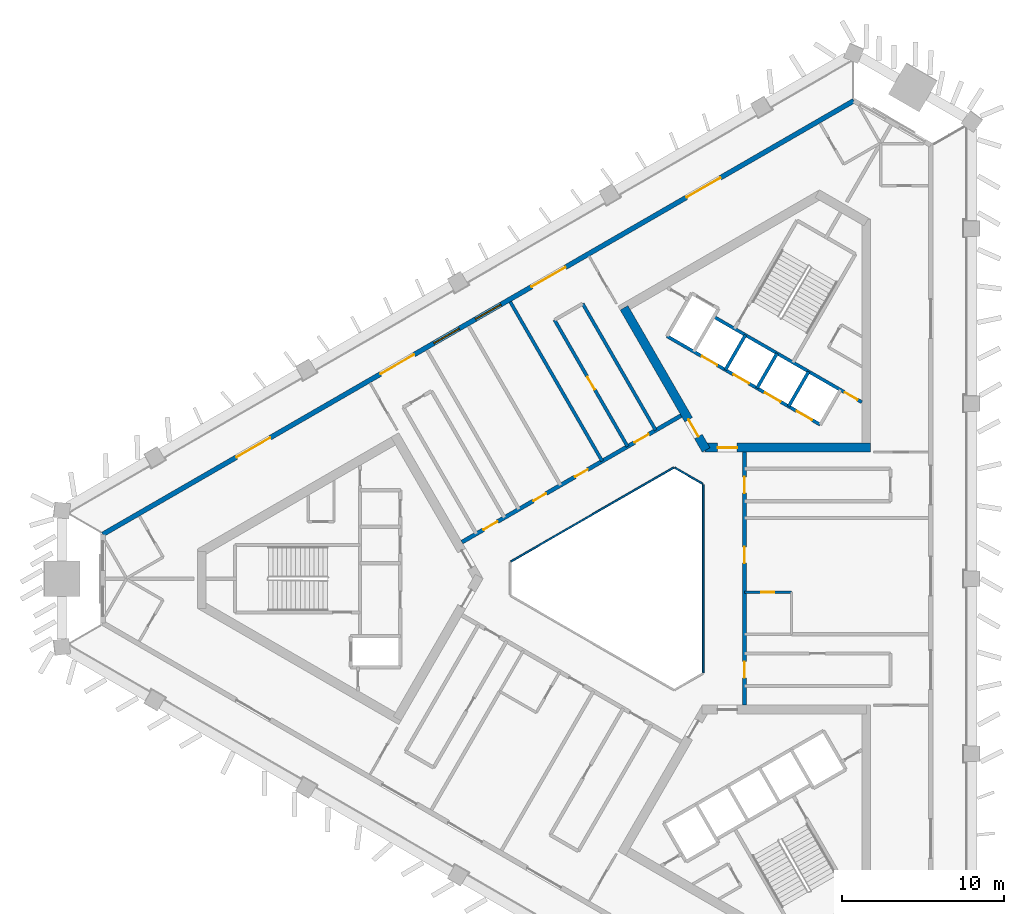
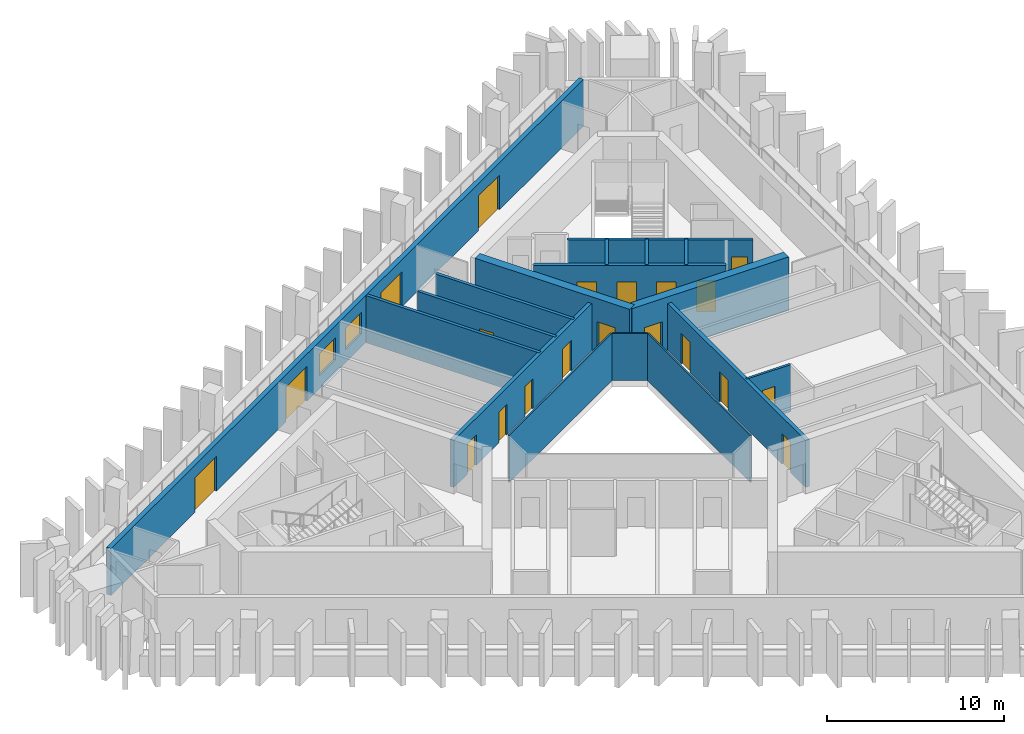
# One storey, part 5 of 10: 20 doors, 17 walls, 2 windows, 22 openings.
"""IFC4 building model written with IfcOpenShell, lengths in metres."""

from ifc_helpers import new_model, si_unit, direction, frame, frame_2d, origin, place, context, subcontext, project, spatial, rectangle, extrude, material, layer, layer_set, type_object, element, fill, save


model = new_model("IFC4")

# Units and contexts
model_context = context("Model", 3, precision=1e-05, world=origin(), true_north=direction((0.0, 1.0)))
body_context = subcontext(model_context, "Body", "Model", "MODEL_VIEW")
ifc_project = project(units=[si_unit("LENGTHUNIT", "METRE"), si_unit("AREAUNIT", "SQUARE_METRE"), si_unit("VOLUMEUNIT", "CUBIC_METRE"), si_unit("PLANEANGLEUNIT", "RADIAN"), si_unit("MASSUNIT", "GRAM", prefix="KILO")], contexts=[model_context])

# Site, building, storey
site_placement = place(None, origin())
site = spatial("IfcSite", under=ifc_project, at=site_placement, CompositionType="ELEMENT")
building_placement = place(site_placement, origin())
building = spatial("IfcBuilding", under=site, at=building_placement, Name="Jabali Bay Hotel Tower and Convention Centre", CompositionType="ELEMENT")
storey_placement = place(building_placement, frame((0.0, 0.0, 174.800048828125)))
storey = spatial("IfcBuildingStorey", under=building, at=storey_placement, Name="L42", CompositionType="ELEMENT", Elevation=174.800048828125)

# Walls
ifc_material_1 = material(Name="Fire-resistant glazing", Category="glass")
ifc_layer_1 = layer(ifc_material_1, 0.10009765625)
ifc_layer_set_1 = layer_set([ifc_layer_1], Name="Fire-resistant glazing")
wall_type_1 = type_object("IfcWallType", Name="Atrium glazed screen 100", PredefinedType="PARTITIONING", material=ifc_layer_set_1)
wall_1_placement = place(storey_placement, frame((79.56005859375, 74.205810546875, 0.0), z_axis=(0.0, 0.0, 1.0), x_axis=(0.0, 1.0, 0.0)))
element("IfcWall", 1, at=wall_1_placement, inside=storey, type_object=wall_type_1, Name="Atrium screen 1 L42", PredefinedType="PARTITIONING", context=body_context, shape_type="SweptSolid", body=[
    extrude(rectangle(XDim=11.58837890625, YDim=0.10009765625, at=frame_2d((5.794189453125, 0.0))), origin(), (0.0, 0.0, 1.0), 3.25),
])
wall_2_placement = place(storey_placement, frame((79.530029296875, 85.84619140625, 0.0), z_axis=(0.0, 0.0, 1.0), x_axis=(-0.866041268327, 0.499972520799, 0.0)))
element("IfcWall", 2, at=wall_2_placement, inside=storey, type_object=wall_type_1, Name="Atrium screen 2 L42", PredefinedType="PARTITIONING", context=body_context, shape_type="SweptSolid", body=[
    extrude(rectangle(XDim=2.0, YDim=0.10009765625, at=frame_2d((1.0, 0.0))), origin(), (0.0, 0.0, 1.0), 3.25),
])
wall_3_placement = place(storey_placement, frame((77.738037109375, 86.84619140625, 0.0), z_axis=(0.0, 0.0, 1.0), x_axis=(-0.866026658274, -0.499997827154, 0.0)))
element("IfcWall", 3, at=wall_3_placement, inside=storey, type_object=wall_type_1, Name="Atrium screen 3 L42", PredefinedType="PARTITIONING", context=body_context, shape_type="SweptSolid", body=[
    extrude(rectangle(XDim=11.58837890625, YDim=0.10009765625, at=frame_2d((5.794189453125, 0.0))), origin(), (0.0, 0.0, 1.0), 3.25),
])
ifc_material_2 = material(Name="Concrete C40", Category="concrete")
ifc_layer_2 = layer(ifc_material_2, 0.199951171875)
ifc_layer_set_2 = layer_set([ifc_layer_2], Name="Concrete C40")
wall_type_2 = type_object("IfcWallType", Name="Core stair wall 200", PredefinedType="SOLIDWALL", material=ifc_layer_set_2)
for number, where, z_axis, x_axis, name in (
    (4, (84.8212890625, 90.61083984375, 0.0), (0.0, 0.0, 1.0), (0.499961042966, 0.86604789447, 0.0), "Core wall 1.2 L42"),
    (5, (82.872802734375, 91.73583984375, 0.0), (0.0, 0.0, 1.0), (0.499961042966, 0.86604789447, 0.0), "Core wall 1.4 L42"),
    (6, (80.924072265625, 92.86083984375, 0.0), (0.0, 0.0, 1.0), (0.499961042966, 0.86604789447, 0.0), "Core wall 1.6 L42"),
):
    element("IfcWall", number, at=place(storey_placement, frame(where, z_axis=z_axis, x_axis=x_axis)), inside=storey, type_object=wall_type_2, Name=name, PredefinedType="SOLIDWALL", context=body_context, shape_type="SweptSolid", body=[
        extrude(rectangle(XDim=2.480224609375, YDim=0.199951171875, at=frame_2d((1.240234375, 0.0))), origin(), (0.0, 0.0, 1.0), 3.25),
    ])

# Wall, openings, doors
wall_4_placement = place(storey_placement, frame((86.769775390625, 89.48583984375, 0.0), z_axis=(0.0, 0.0, 1.0), x_axis=(-0.86601811187, 0.500012629753, 0.0)))
wall_4 = element("IfcWall", 7, at=wall_4_placement, inside=storey, type_object=wall_type_2, Name="Core wall 1.10 L42", PredefinedType="SOLIDWALL", context=body_context, shape_type="SweptSolid", body=[
    extrude(rectangle(XDim=10.900146484375, YDim=0.199951171875, at=frame_2d((5.4501953125, 0.0))), origin(), (0.0, 0.0, 1.0), 3.25),
])
opening_1_placement = place(wall_4_placement, frame((0.574951171875, 0.0, 0.0)))
opening_1 = element("IfcOpeningElement", 8, at=opening_1_placement, cuts=wall_4, Name="Opening LD6-L42", PredefinedType="OPENING", context=body_context, shape_type="SweptSolid", body=[
    extrude(rectangle(XDim=1.10009765625, YDim=2.10009765625, at=frame_2d((0.550048828125, 1.050048828125))), frame((0.0, 0.1103515625, 0.0), z_axis=(0.0, -1.0, 0.0), x_axis=(1.0, 0.0, 0.0)), (0.0, 0.0, 1.0), 0.220947265625),
])
opening_2_placement = place(wall_4_placement, frame((2.824951171875, 0.0, 0.0)))
opening_2 = element("IfcOpeningElement", 9, at=opening_2_placement, cuts=wall_4, Name="Opening LD7-L42", PredefinedType="OPENING", context=body_context, shape_type="SweptSolid", body=[
    extrude(rectangle(XDim=1.10009765625, YDim=2.10009765625, at=frame_2d((0.550048828125, 1.050048828125))), frame((0.0, 0.1103515625, 0.0), z_axis=(0.0, -1.0, 0.0), x_axis=(1.0, 0.0, 0.0)), (0.0, 0.0, 1.0), 0.220947265625),
])
opening_3_placement = place(wall_4_placement, frame((5.074951171875, 0.0, 0.0)))
opening_3 = element("IfcOpeningElement", 10, at=opening_3_placement, cuts=wall_4, Name="Opening LD8-L42", PredefinedType="OPENING", context=body_context, shape_type="SweptSolid", body=[
    extrude(rectangle(XDim=1.10009765625, YDim=2.10009765625, at=frame_2d((0.550048828125, 1.050048828125))), frame((0.0, 0.1103515625, 0.0), z_axis=(0.0, -1.0, 0.0), x_axis=(1.0, 0.0, 0.0)), (0.0, 0.0, 1.0), 0.220947265625),
])
opening_4_placement = place(wall_4_placement, frame((7.324951171875, 0.0, 0.0)))
opening_4 = element("IfcOpeningElement", 11, at=opening_4_placement, cuts=wall_4, Name="Opening LD9-L42", PredefinedType="OPENING", context=body_context, shape_type="SweptSolid", body=[
    extrude(rectangle(XDim=1.10009765625, YDim=2.10009765625, at=frame_2d((0.550048828125, 1.050048828125))), frame((0.0, 0.1103515625, 0.0), z_axis=(0.0, -1.0, 0.0), x_axis=(1.0, 0.0, 0.0)), (0.0, 0.0, 1.0), 0.220947265625),
])
ifc_material_3 = material(Name="Stainless steel landing door", Category="steel")
door_type_1 = type_object("IfcDoorType", Name="Landing door 1100 x 2100", OperationType="NOTDEFINED", PredefinedType="NOTDEFINED", material=ifc_material_3)
door_1_placement = place(opening_1_placement, origin())
door_1 = element("IfcDoor", 12, at=door_1_placement, inside=storey, type_object=door_type_1, Name="Landing doors LD6-L42", OperationType="SLIDING_TO_RIGHT", OverallHeight=2.10009765625, OverallWidth=1.10009765625, PredefinedType="NOTDEFINED", context=body_context, shape_type="SweptSolid", body=[
    extrude(rectangle(XDim=1.10009765625, YDim=2.10009765625, at=frame_2d((0.550048828125, 1.050048828125))), frame((0.0, 0.02490234375, 0.0), z_axis=(0.0, -1.0, 0.0), x_axis=(1.0, 0.0, 0.0)), (0.0, 0.0, 1.0), 0.050048828125),
])
fill(opening_1, door_1)
door_2_placement = place(opening_2_placement, origin())
door_2 = element("IfcDoor", 13, at=door_2_placement, inside=storey, type_object=door_type_1, Name="Landing doors LD7-L42", OperationType="SLIDING_TO_LEFT", OverallHeight=2.10009765625, OverallWidth=1.10009765625, PredefinedType="NOTDEFINED", context=body_context, shape_type="SweptSolid", body=[
    extrude(rectangle(XDim=1.10009765625, YDim=2.10009765625, at=frame_2d((0.550048828125, 1.050048828125))), frame((0.0, 0.02490234375, 0.0), z_axis=(0.0, -1.0, 0.0), x_axis=(1.0, 0.0, 0.0)), (0.0, 0.0, 1.0), 0.050048828125),
])
fill(opening_2, door_2)
door_3_placement = place(opening_3_placement, origin())
door_3 = element("IfcDoor", 14, at=door_3_placement, inside=storey, type_object=door_type_1, Name="Landing doors LD8-L42", OperationType="SLIDING_TO_RIGHT", OverallHeight=2.10009765625, OverallWidth=1.10009765625, PredefinedType="NOTDEFINED", context=body_context, shape_type="SweptSolid", body=[
    extrude(rectangle(XDim=1.10009765625, YDim=2.10009765625, at=frame_2d((0.550048828125, 1.050048828125))), frame((0.0, 0.02490234375, 0.0), z_axis=(0.0, -1.0, 0.0), x_axis=(1.0, 0.0, 0.0)), (0.0, 0.0, 1.0), 0.050048828125),
])
fill(opening_3, door_3)
door_4_placement = place(opening_4_placement, origin())
door_4 = element("IfcDoor", 15, at=door_4_placement, inside=storey, type_object=door_type_1, Name="Landing doors LD9-L42", OperationType="SLIDING_TO_LEFT", OverallHeight=2.10009765625, OverallWidth=1.10009765625, PredefinedType="NOTDEFINED", context=body_context, shape_type="SweptSolid", body=[
    extrude(rectangle(XDim=1.10009765625, YDim=2.10009765625, at=frame_2d((0.550048828125, 1.050048828125))), frame((0.0, 0.02490234375, 0.0), z_axis=(0.0, -1.0, 0.0), x_axis=(1.0, 0.0, 0.0)), (0.0, 0.0, 1.0), 0.050048828125),
])
fill(opening_4, door_4)

# Wall, opening, door
wall_5_placement = place(storey_placement, frame((89.330078125, 90.87158203125, 0.0), z_axis=(0.0, 0.0, 1.0), x_axis=(-0.866027589512, 0.49999621419, 0.0)))
wall_5 = element("IfcWall", 16, at=wall_5_placement, inside=storey, type_object=wall_type_2, Name="Core wall 1.11 L42", PredefinedType="SOLIDWALL", context=body_context, shape_type="SweptSolid", body=[
    extrude(rectangle(XDim=10.5244140625, YDim=0.199951171875, at=frame_2d((5.26220703125, 0.0))), origin(), (0.0, 0.0, 1.0), 3.25),
])
opening_5_placement = place(wall_5_placement, frame((0.312255859375, 0.0, 0.0)))
opening_5 = element("IfcOpeningElement", 17, at=opening_5_placement, cuts=wall_5, Name="Opening D917", PredefinedType="OPENING", context=body_context, shape_type="SweptSolid", body=[
    extrude(rectangle(XDim=0.89990234375, YDim=2.10009765625, at=frame_2d((0.449951171875, 1.050048828125))), frame((0.0, 0.1103515625, 0.0), z_axis=(0.0, -1.0, 0.0), x_axis=(1.0, 0.0, 0.0)), (0.0, 0.0, 1.0), 0.220947265625),
])
ifc_material_4 = material(Name="Fire-rated steel door", Category="steel")
door_type_2 = type_object("IfcDoorType", Name="Vestibule fire door 900 x 2100", OperationType="NOTDEFINED", PredefinedType="NOTDEFINED", material=ifc_material_4)
door_5_placement = place(opening_5_placement, origin())
door_5 = element("IfcDoor", 18, at=door_5_placement, inside=storey, type_object=door_type_2, Name="Vestibule fire door D917", OperationType="SINGLE_SWING_LEFT", OverallHeight=2.10009765625, OverallWidth=0.89990234375, PredefinedType="NOTDEFINED", context=body_context, shape_type="SweptSolid", body=[
    extrude(rectangle(XDim=0.89990234375, YDim=2.10009765625, at=frame_2d((0.449951171875, 1.050048828125))), frame((0.0, 0.02490234375, 0.0), z_axis=(0.0, -1.0, 0.0), x_axis=(1.0, 0.0, 0.0)), (0.0, 0.0, 1.0), 0.050048828125),
])
fill(opening_5, door_5)

ifc_material_5 = material(Name="Concrete C60", Category="concrete")
ifc_layer_3 = layer(ifc_material_5, 0.550048828125)
ifc_layer_set_3 = layer_set([ifc_layer_3], Name="Concrete C60")
wall_type_3 = type_object("IfcWallType", Name="Core wall 550", PredefinedType="SHEAR", material=ifc_layer_set_3)
wall_6_placement = place(storey_placement, frame((79.65869140625, 88.0693359375, 0.0), z_axis=(0.0, 0.0, 1.0), x_axis=(1.0, 0.0, 0.0)))
wall_6 = element("IfcWall", 19, at=wall_6_placement, inside=storey, type_object=wall_type_3, Name="Core wall 2.1 L42", PredefinedType="SHEAR", context=body_context, shape_type="SweptSolid", body=[
    extrude(rectangle(XDim=10.22119140625, YDim=0.550048828125, at=frame_2d((5.110595703125, 0.0))), origin(), (0.0, 0.0, 1.0), 3.699951171875),
])
opening_6_placement = place(wall_6_placement, frame((0.791259765625, 0.0, 0.0)))
opening_6 = element("IfcOpeningElement", 20, at=opening_6_placement, cuts=wall_6, Name="Opening D914", PredefinedType="OPENING", context=body_context, shape_type="SweptSolid", body=[
    extrude(rectangle(XDim=1.199951171875, YDim=2.10009765625, at=frame_2d((0.60009765625, 1.050048828125))), frame((0.0, 0.28564453125, 0.0), z_axis=(0.0, -1.0, 0.0), x_axis=(1.0, 0.0, 0.0)), (0.0, 0.0, 1.0), 0.571044921875),
])
door_type_3 = type_object("IfcDoorType", Name="Corridor end fire door 1200 x 2100", OperationType="NOTDEFINED", PredefinedType="NOTDEFINED", material=ifc_material_4)
door_6_placement = place(opening_6_placement, origin())
door_6 = element("IfcDoor", 21, at=door_6_placement, inside=storey, type_object=door_type_3, Name="Corridor end fire door D914", OperationType="SINGLE_SWING_RIGHT", OverallHeight=2.10009765625, OverallWidth=1.199951171875, PredefinedType="NOTDEFINED", context=body_context, shape_type="SweptSolid", body=[
    extrude(rectangle(XDim=1.199951171875, YDim=2.10009765625, at=frame_2d((0.60009765625, 1.050048828125))), frame((0.0, 0.02490234375, 0.0), z_axis=(0.0, -1.0, 0.0), x_axis=(1.0, 0.0, 0.0)), (0.0, 0.0, 1.0), 0.050048828125),
])
fill(opening_6, door_6)

wall_7_placement = place(storey_placement, frame((74.685546875, 96.682861328125, 0.0), z_axis=(0.0, 0.0, 1.0), x_axis=(0.499997818338, -0.866026663364, 0.0)))
wall_7 = element("IfcWall", 22, at=wall_7_placement, inside=storey, type_object=wall_type_3, Name="Core wall 2.5 L42", PredefinedType="SHEAR", context=body_context, shape_type="SweptSolid", body=[
    extrude(rectangle(XDim=10.10498046875, YDim=0.550048828125, at=frame_2d((5.052490234375, 0.0))), origin(), (0.0, 0.0, 1.0), 3.699951171875),
])
opening_7_placement = place(wall_7_placement, frame((7.955078125, 0.0, 0.0)))
opening_7 = element("IfcOpeningElement", 23, at=opening_7_placement, cuts=wall_7, Name="Opening D915", PredefinedType="OPENING", context=body_context, shape_type="SweptSolid", body=[
    extrude(rectangle(XDim=1.199951171875, YDim=2.10009765625, at=frame_2d((0.60009765625, 1.050048828125))), frame((0.0, 0.28564453125, 0.0), z_axis=(0.0, -1.0, 0.0), x_axis=(1.0, 0.0, 0.0)), (0.0, 0.0, 1.0), 0.571044921875),
])
door_7_placement = place(opening_7_placement, origin())
door_7 = element("IfcDoor", 24, at=door_7_placement, inside=storey, type_object=door_type_3, Name="Corridor end fire door D915", OperationType="SINGLE_SWING_LEFT", OverallHeight=2.10009765625, OverallWidth=1.199951171875, PredefinedType="NOTDEFINED", context=body_context, shape_type="SweptSolid", body=[
    extrude(rectangle(XDim=1.199951171875, YDim=2.10009765625, at=frame_2d((0.60009765625, 1.050048828125))), frame((0.0, 0.02490234375, 0.0), z_axis=(0.0, -1.0, 0.0), x_axis=(1.0, 0.0, 0.0)), (0.0, 0.0, 1.0), 0.050048828125),
])
fill(opening_7, door_7)

# Wall, openings, doors
ifc_layer_4 = layer(ifc_material_5, 0.25)
ifc_layer_set_4 = layer_set([ifc_layer_4], Name="Concrete C60")
wall_type_4 = type_object("IfcWallType", Name="Corridor wall 250", PredefinedType="SHEAR", material=ifc_layer_set_4)
wall_8_placement = place(storey_placement, frame((82.10009765625, 72.205810546875, 0.0), z_axis=(0.0, 0.0, 1.0), x_axis=(0.0, 1.0, 0.0)))
wall_8 = element("IfcWall", 25, at=wall_8_placement, inside=storey, type_object=wall_type_4, Name="Corridor wall 1 L42", PredefinedType="SHEAR", context=body_context, shape_type="SweptSolid", body=[
    extrude(rectangle(XDim=15.58837890625, YDim=0.25, at=frame_2d((7.794189453125, 0.0))), origin(), (0.0, 0.0, 1.0), 3.25),
])
opening_8_placement = place(wall_8_placement, frame((1.682373046875, 0.0, 0.0)))
opening_8 = element("IfcOpeningElement", 26, at=opening_8_placement, cuts=wall_8, Name="Opening 4201", PredefinedType="OPENING", context=body_context, shape_type="SweptSolid", body=[
    extrude(rectangle(XDim=1.0, YDim=2.10009765625, at=frame_2d((0.5, 1.050048828125))), frame((0.0, 0.135498046875, 0.0), z_axis=(0.0, -1.0, 0.0), x_axis=(1.0, 0.0, 0.0)), (0.0, 0.0, 1.0), 0.27099609375),
])
opening_9_placement = place(wall_8_placement, frame((8.75, 0.0, 0.0)))
opening_9 = element("IfcOpeningElement", 27, at=opening_9_placement, cuts=wall_8, Name="Opening 4206", PredefinedType="OPENING", context=body_context, shape_type="SweptSolid", body=[
    extrude(rectangle(XDim=1.0, YDim=2.10009765625, at=frame_2d((0.5, 1.050048828125))), frame((0.0, 0.135498046875, 0.0), z_axis=(0.0, -1.0, 0.0), x_axis=(1.0, 0.0, 0.0)), (0.0, 0.0, 1.0), 0.27099609375),
])
opening_10_placement = place(wall_8_placement, frame((13.06201171875, 0.0, 0.0)))
opening_10 = element("IfcOpeningElement", 28, at=opening_10_placement, cuts=wall_8, Name="Opening 4207", PredefinedType="OPENING", context=body_context, shape_type="SweptSolid", body=[
    extrude(rectangle(XDim=1.0, YDim=2.10009765625, at=frame_2d((0.5, 1.050048828125))), frame((0.0, 0.135498046875, 0.0), z_axis=(0.0, -1.0, 0.0), x_axis=(1.0, 0.0, 0.0)), (0.0, 0.0, 1.0), 0.27099609375),
])
ifc_material_6 = material(Name="Timber", Category="wood")
door_type_4 = type_object("IfcDoorType", Name="Guest room door 1000 x 2100", OperationType="NOTDEFINED", PredefinedType="NOTDEFINED", material=ifc_material_6)
door_8_placement = place(opening_8_placement, origin())
door_8 = element("IfcDoor", 29, at=door_8_placement, inside=storey, type_object=door_type_4, Name="Door 4201", OperationType="SINGLE_SWING_LEFT", OverallHeight=2.10009765625, OverallWidth=1.0, PredefinedType="NOTDEFINED", context=body_context, shape_type="SweptSolid", body=[
    extrude(rectangle(XDim=1.0, YDim=2.10009765625, at=frame_2d((0.5, 1.050048828125))), frame((0.0, 0.02490234375, 0.0), z_axis=(0.0, -1.0, 0.0), x_axis=(1.0, 0.0, 0.0)), (0.0, 0.0, 1.0), 0.050048828125),
])
fill(opening_8, door_8)
door_9_placement = place(opening_9_placement, origin())
door_9 = element("IfcDoor", 30, at=door_9_placement, inside=storey, type_object=door_type_4, Name="Door 4206", OperationType="SINGLE_SWING_RIGHT", OverallHeight=2.10009765625, OverallWidth=1.0, PredefinedType="NOTDEFINED", context=body_context, shape_type="SweptSolid", body=[
    extrude(rectangle(XDim=1.0, YDim=2.10009765625, at=frame_2d((0.5, 1.050048828125))), frame((0.0, 0.02490234375, 0.0), z_axis=(0.0, -1.0, 0.0), x_axis=(1.0, 0.0, 0.0)), (0.0, 0.0, 1.0), 0.050048828125),
])
fill(opening_9, door_9)
door_10_placement = place(opening_10_placement, origin())
door_10 = element("IfcDoor", 31, at=door_10_placement, inside=storey, type_object=door_type_4, Name="Door 4207", OperationType="SINGLE_SWING_RIGHT", OverallHeight=2.10009765625, OverallWidth=1.0, PredefinedType="NOTDEFINED", context=body_context, shape_type="SweptSolid", body=[
    extrude(rectangle(XDim=1.0, YDim=2.10009765625, at=frame_2d((0.5, 1.050048828125))), frame((0.0, 0.02490234375, 0.0), z_axis=(0.0, -1.0, 0.0), x_axis=(1.0, 0.0, 0.0)), (0.0, 0.0, 1.0), 0.050048828125),
])
fill(opening_10, door_10)

wall_9_placement = place(storey_placement, frame((78.199951171875, 90.0458984375, 0.0), z_axis=(0.0, 0.0, 1.0), x_axis=(-0.866026492143, -0.499998114903, 0.0)))
wall_9 = element("IfcWall", 32, at=wall_9_placement, inside=storey, type_object=wall_type_4, Name="Corridor wall 2 L42", PredefinedType="SHEAR", context=body_context, shape_type="SweptSolid", body=[
    extrude(rectangle(XDim=15.58837890625, YDim=0.25, at=frame_2d((7.794189453125, 0.0))), origin(), (0.0, 0.0, 1.0), 3.25),
])
opening_11_placement = place(wall_9_placement, frame((2.305908203125, 0.0, 0.0)))
opening_11 = element("IfcOpeningElement", 33, at=opening_11_placement, cuts=wall_9, Name="Opening 4211", PredefinedType="OPENING", context=body_context, shape_type="SweptSolid", body=[
    extrude(rectangle(XDim=1.0, YDim=2.10009765625, at=frame_2d((0.5, 1.050048828125))), frame((0.0, 0.135498046875, 0.0), z_axis=(0.0, -1.0, 0.0), x_axis=(1.0, 0.0, 0.0)), (0.0, 0.0, 1.0), 0.27099609375),
])
opening_12_placement = place(wall_9_placement, frame((6.642578125, 0.0, 0.0)))
opening_12 = element("IfcOpeningElement", 34, at=opening_12_placement, cuts=wall_9, Name="Opening 4215", PredefinedType="OPENING", context=body_context, shape_type="SweptSolid", body=[
    extrude(rectangle(XDim=0.89990234375, YDim=2.10009765625, at=frame_2d((0.449951171875, 1.050048828125))), frame((0.0, 0.135498046875, 0.0), z_axis=(0.0, -1.0, 0.0), x_axis=(1.0, 0.0, 0.0)), (0.0, 0.0, 1.0), 0.27099609375),
])
opening_13_placement = place(wall_9_placement, frame((9.6044921875, 0.0, 0.0)))
opening_13 = element("IfcOpeningElement", 35, at=opening_13_placement, cuts=wall_9, Name="Opening 4216", PredefinedType="OPENING", context=body_context, shape_type="SweptSolid", body=[
    extrude(rectangle(XDim=0.89990234375, YDim=2.10009765625, at=frame_2d((0.449951171875, 1.050048828125))), frame((0.0, 0.135498046875, 0.0), z_axis=(0.0, -1.0, 0.0), x_axis=(1.0, 0.0, 0.0)), (0.0, 0.0, 1.0), 0.27099609375),
])
opening_14_placement = place(wall_9_placement, frame((13.06201171875, 0.0, 0.0)))
opening_14 = element("IfcOpeningElement", 36, at=opening_14_placement, cuts=wall_9, Name="Opening 4217", PredefinedType="OPENING", context=body_context, shape_type="SweptSolid", body=[
    extrude(rectangle(XDim=1.0, YDim=2.10009765625, at=frame_2d((0.5, 1.050048828125))), frame((0.0, 0.135498046875, 0.0), z_axis=(0.0, -1.0, 0.0), x_axis=(1.0, 0.0, 0.0)), (0.0, 0.0, 1.0), 0.27099609375),
])
door_11_placement = place(opening_11_placement, origin())
door_11 = element("IfcDoor", 37, at=door_11_placement, inside=storey, type_object=door_type_4, Name="Door 4211", OperationType="SINGLE_SWING_LEFT", OverallHeight=2.10009765625, OverallWidth=1.0, PredefinedType="NOTDEFINED", context=body_context, shape_type="SweptSolid", body=[
    extrude(rectangle(XDim=1.0, YDim=2.10009765625, at=frame_2d((0.5, 1.050048828125))), frame((0.0, 0.02490234375, 0.0), z_axis=(0.0, -1.0, 0.0), x_axis=(1.0, 0.0, 0.0)), (0.0, 0.0, 1.0), 0.050048828125),
])
fill(opening_11, door_11)
door_12_placement = place(opening_14_placement, origin())
door_12 = element("IfcDoor", 38, at=door_12_placement, inside=storey, type_object=door_type_4, Name="Door 4217", OperationType="SINGLE_SWING_RIGHT", OverallHeight=2.10009765625, OverallWidth=1.0, PredefinedType="NOTDEFINED", context=body_context, shape_type="SweptSolid", body=[
    extrude(rectangle(XDim=1.0, YDim=2.10009765625, at=frame_2d((0.5, 1.050048828125))), frame((0.0, 0.02490234375, 0.0), z_axis=(0.0, -1.0, 0.0), x_axis=(1.0, 0.0, 0.0)), (0.0, 0.0, 1.0), 0.050048828125),
])
fill(opening_14, door_12)
door_type_5 = type_object("IfcDoorType", Name="Internal door 900 x 2100", OperationType="NOTDEFINED", PredefinedType="NOTDEFINED", material=ifc_material_6)
door_13_placement = place(opening_12_placement, origin())
door_13 = element("IfcDoor", 39, at=door_13_placement, inside=storey, type_object=door_type_5, Name="Door 4215", OperationType="SINGLE_SWING_LEFT", OverallHeight=2.10009765625, OverallWidth=0.89990234375, PredefinedType="NOTDEFINED", context=body_context, shape_type="SweptSolid", body=[
    extrude(rectangle(XDim=0.89990234375, YDim=2.10009765625, at=frame_2d((0.449951171875, 1.050048828125))), frame((0.0, 0.02490234375, 0.0), z_axis=(0.0, -1.0, 0.0), x_axis=(1.0, 0.0, 0.0)), (0.0, 0.0, 1.0), 0.050048828125),
])
fill(opening_12, door_13)
door_14_placement = place(opening_13_placement, origin())
door_14 = element("IfcDoor", 40, at=door_14_placement, inside=storey, type_object=door_type_5, Name="Door 4216", OperationType="SINGLE_SWING_RIGHT", OverallHeight=2.10009765625, OverallWidth=0.89990234375, PredefinedType="NOTDEFINED", context=body_context, shape_type="SweptSolid", body=[
    extrude(rectangle(XDim=0.89990234375, YDim=2.10009765625, at=frame_2d((0.449951171875, 1.050048828125))), frame((0.0, 0.02490234375, 0.0), z_axis=(0.0, -1.0, 0.0), x_axis=(1.0, 0.0, 0.0)), (0.0, 0.0, 1.0), 0.050048828125),
])
fill(opening_13, door_14)

# Wall, openings, doors, windows
ifc_layer_5 = layer(ifc_material_2, 0.300048828125)
ifc_layer_set_5 = layer_set([ifc_layer_5], Name="Concrete C40")
wall_type_5 = type_object("IfcWallType", Name="External wall 300", PredefinedType="SOLIDWALL", material=ifc_layer_set_5)
wall_10_placement = place(storey_placement, frame((42.580078125, 82.732666015625, 0.0), z_axis=(0.0, 0.0, 1.0), x_axis=(0.866025382531, 0.500000036812, 0.0)))
wall_10 = element("IfcWall", 41, at=wall_10_placement, inside=storey, type_object=wall_type_5, Name="External wall north-west face L42", PredefinedType="SOLIDWALL", context=body_context, shape_type="SweptSolid", body=[
    extrude(rectangle(XDim=53.42041015625, YDim=0.300048828125, at=frame_2d((26.710205078125, 0.0))), origin(), (0.0, 0.0, 1.0), 3.25),
])
opening_15_placement = place(wall_10_placement, frame((30.49853515625, 0.0, 0.0)))
opening_15 = element("IfcOpeningElement", 42, at=opening_15_placement, cuts=wall_10, Name="Opening SD1", PredefinedType="OPENING", context=body_context, shape_type="SweptSolid", body=[
    extrude(rectangle(XDim=2.39990234375, YDim=2.39990234375, at=frame_2d((1.199951171875, 1.199951171875))), frame((0.0, 0.16064453125, 0.0), z_axis=(0.0, -1.0, 0.0), x_axis=(1.0, 0.0, 0.0)), (0.0, 0.0, 1.0), 0.321044921875),
])
opening_16_placement = place(wall_10_placement, frame((41.51953125, 0.0, 0.0)))
opening_16 = element("IfcOpeningElement", 43, at=opening_16_placement, cuts=wall_10, Name="Opening SD1", PredefinedType="OPENING", context=body_context, shape_type="SweptSolid", body=[
    extrude(rectangle(XDim=2.39990234375, YDim=2.39990234375, at=frame_2d((1.199951171875, 1.199951171875))), frame((0.0, 0.16064453125, 0.0), z_axis=(0.0, -1.0, 0.0), x_axis=(1.0, 0.0, 0.0)), (0.0, 0.0, 1.0), 0.321044921875),
])
opening_17_placement = place(wall_10_placement, frame((19.742431640625, 0.0, 0.0)))
opening_17 = element("IfcOpeningElement", 44, at=opening_17_placement, cuts=wall_10, Name="Opening SD1", PredefinedType="OPENING", context=body_context, shape_type="SweptSolid", body=[
    extrude(rectangle(XDim=2.39990234375, YDim=2.39990234375, at=frame_2d((1.199951171875, 1.199951171875))), frame((0.0, 0.16064453125, 0.0), z_axis=(0.0, -1.0, 0.0), x_axis=(1.0, 0.0, 0.0)), (0.0, 0.0, 1.0), 0.321044921875),
])
opening_18_placement = place(wall_10_placement, frame((9.507080078125, 0.0, 0.0)))
opening_18 = element("IfcOpeningElement", 45, at=opening_18_placement, cuts=wall_10, Name="Opening SD1", PredefinedType="OPENING", context=body_context, shape_type="SweptSolid", body=[
    extrude(rectangle(XDim=2.39990234375, YDim=2.39990234375, at=frame_2d((1.199951171875, 1.199951171875))), frame((0.0, 0.16064453125, 0.0), z_axis=(0.0, -1.0, 0.0), x_axis=(1.0, 0.0, 0.0)), (0.0, 0.0, 1.0), 0.321044921875),
])
opening_19_placement = place(wall_10_placement, frame((26.51171875, 0.0, 0.89990234375)))
opening_19 = element("IfcOpeningElement", 46, at=opening_19_placement, cuts=wall_10, Name="Opening W1", PredefinedType="OPENING", context=body_context, shape_type="SweptSolid", body=[
    extrude(rectangle(XDim=1.800048828125, YDim=1.5, at=frame_2d((0.89990234375, 0.75))), frame((0.0, 0.16064453125, 0.0), z_axis=(0.0, -1.0, 0.0), x_axis=(1.0, 0.0, 0.0)), (0.0, 0.0, 1.0), 0.321044921875),
])
opening_20_placement = place(wall_10_placement, frame((23.5498046875, 0.0, 0.89990234375)))
opening_20 = element("IfcOpeningElement", 47, at=opening_20_placement, cuts=wall_10, Name="Opening W1", PredefinedType="OPENING", context=body_context, shape_type="SweptSolid", body=[
    extrude(rectangle(XDim=1.800048828125, YDim=1.5, at=frame_2d((0.89990234375, 0.75))), frame((0.0, 0.16064453125, 0.0), z_axis=(0.0, -1.0, 0.0), x_axis=(1.0, 0.0, 0.0)), (0.0, 0.0, 1.0), 0.321044921875),
])
ifc_material_7 = material(Name="Glass", Category="glass")
door_type_6 = type_object("IfcDoorType", Name="Loggia sliding door 2400 x 2400", OperationType="NOTDEFINED", PredefinedType="NOTDEFINED", material=ifc_material_7)
door_15_placement = place(opening_15_placement, origin())
door_15 = element("IfcDoor", 48, at=door_15_placement, inside=storey, type_object=door_type_6, Name="Loggia sliding door 4206", OperationType="SLIDING_TO_LEFT", OverallHeight=2.39990234375, OverallWidth=2.39990234375, PredefinedType="NOTDEFINED", context=body_context, shape_type="SweptSolid", body=[
    extrude(rectangle(XDim=2.39990234375, YDim=2.39990234375, at=frame_2d((1.199951171875, 1.199951171875))), frame((0.0, 0.02490234375, 0.0), z_axis=(0.0, -1.0, 0.0), x_axis=(1.0, 0.0, 0.0)), (0.0, 0.0, 1.0), 0.050048828125),
])
fill(opening_15, door_15)
door_16_placement = place(opening_16_placement, origin())
door_16 = element("IfcDoor", 49, at=door_16_placement, inside=storey, type_object=door_type_6, Name="Loggia sliding door 4206", OperationType="SLIDING_TO_RIGHT", OverallHeight=2.39990234375, OverallWidth=2.39990234375, PredefinedType="NOTDEFINED", context=body_context, shape_type="SweptSolid", body=[
    extrude(rectangle(XDim=2.39990234375, YDim=2.39990234375, at=frame_2d((1.199951171875, 1.199951171875))), frame((0.0, 0.02490234375, 0.0), z_axis=(0.0, -1.0, 0.0), x_axis=(1.0, 0.0, 0.0)), (0.0, 0.0, 1.0), 0.050048828125),
])
fill(opening_16, door_16)
door_17_placement = place(opening_17_placement, origin())
door_17 = element("IfcDoor", 50, at=door_17_placement, inside=storey, type_object=door_type_6, Name="Loggia sliding door 4210", OperationType="SLIDING_TO_LEFT", OverallHeight=2.39990234375, OverallWidth=2.39990234375, PredefinedType="NOTDEFINED", context=body_context, shape_type="SweptSolid", body=[
    extrude(rectangle(XDim=2.39990234375, YDim=2.39990234375, at=frame_2d((1.199951171875, 1.199951171875))), frame((0.0, 0.02490234375, 0.0), z_axis=(0.0, -1.0, 0.0), x_axis=(1.0, 0.0, 0.0)), (0.0, 0.0, 1.0), 0.050048828125),
])
fill(opening_17, door_17)
door_18_placement = place(opening_18_placement, origin())
door_18 = element("IfcDoor", 51, at=door_18_placement, inside=storey, type_object=door_type_6, Name="Loggia sliding door 4210", OperationType="SLIDING_TO_RIGHT", OverallHeight=2.39990234375, OverallWidth=2.39990234375, PredefinedType="NOTDEFINED", context=body_context, shape_type="SweptSolid", body=[
    extrude(rectangle(XDim=2.39990234375, YDim=2.39990234375, at=frame_2d((1.199951171875, 1.199951171875))), frame((0.0, 0.02490234375, 0.0), z_axis=(0.0, -1.0, 0.0), x_axis=(1.0, 0.0, 0.0)), (0.0, 0.0, 1.0), 0.050048828125),
])
fill(opening_18, door_18)
window_type = type_object("IfcWindowType", Name="Window 1800 x 1500", PartitioningType="SINGLE_PANEL", PredefinedType="WINDOW", material=ifc_material_7)
window_1_placement = place(opening_19_placement, origin())
window_1 = element("IfcWindow", 52, at=window_1_placement, inside=storey, type_object=window_type, Name="Window 4208", OverallHeight=1.5, OverallWidth=1.800048828125, PartitioningType="SINGLE_PANEL", PredefinedType="WINDOW", context=body_context, shape_type="SweptSolid", body=[
    extrude(rectangle(XDim=1.800048828125, YDim=1.5, at=frame_2d((0.89990234375, 0.75))), frame((0.0, 0.030029296875, 0.0), z_axis=(0.0, -1.0, 0.0), x_axis=(1.0, 0.0, 0.0)), (0.0, 0.0, 1.0), 0.06005859375),
])
fill(opening_19, window_1)
window_2_placement = place(opening_20_placement, origin())
window_2 = element("IfcWindow", 53, at=window_2_placement, inside=storey, type_object=window_type, Name="Window 4209", OverallHeight=1.5, OverallWidth=1.800048828125, PartitioningType="SINGLE_PANEL", PredefinedType="WINDOW", context=body_context, shape_type="SweptSolid", body=[
    extrude(rectangle(XDim=1.800048828125, YDim=1.5, at=frame_2d((0.89990234375, 0.75))), frame((0.0, 0.030029296875, 0.0), z_axis=(0.0, -1.0, 0.0), x_axis=(1.0, 0.0, 0.0)), (0.0, 0.0, 1.0), 0.06005859375),
])
fill(opening_20, window_2)

# Wall, opening, door
ifc_material_8 = material(Name="Plasterboard on steel stud", Category="steel")
ifc_layer_6 = layer(ifc_material_8, 0.14990234375)
ifc_layer_set_6 = layer_set([ifc_layer_6], Name="Plasterboard on steel stud")
wall_type_6 = type_object("IfcWallType", Name="Partition 150 wet", PredefinedType="PARTITIONING", material=ifc_layer_set_6)
wall_11_placement = place(storey_placement, frame((82.10009765625, 79.170654296875, 0.0), z_axis=(0.0, 0.0, 1.0), x_axis=(1.0, 0.0, 0.0)))
wall_11 = element("IfcWall", 54, at=wall_11_placement, inside=storey, type_object=wall_type_6, Name="Partition P03 L42 011", PredefinedType="PARTITIONING", context=body_context, shape_type="SweptSolid", body=[
    extrude(rectangle(XDim=2.89990234375, YDim=0.14990234375, at=frame_2d((1.449951171875, 0.0))), origin(), (0.0, 0.0, 1.0), 3.25),
])
opening_21_placement = place(wall_11_placement, frame((1.050048828125, 0.0, 0.0)))
opening_21 = element("IfcOpeningElement", 55, at=opening_21_placement, cuts=wall_11, Name="Opening 4205", PredefinedType="OPENING", context=body_context, shape_type="SweptSolid", body=[
    extrude(rectangle(XDim=0.800048828125, YDim=2.10009765625, at=frame_2d((0.39990234375, 1.050048828125))), frame((0.0, 0.08544921875, 0.0), z_axis=(0.0, -1.0, 0.0), x_axis=(1.0, 0.0, 0.0)), (0.0, 0.0, 1.0), 0.1708984375),
])
door_type_7 = type_object("IfcDoorType", Name="En-suite door 800 x 2100", OperationType="NOTDEFINED", PredefinedType="NOTDEFINED", material=ifc_material_6)
door_19_placement = place(opening_21_placement, origin())
door_19 = element("IfcDoor", 56, at=door_19_placement, inside=storey, type_object=door_type_7, Name="Door 4205", OperationType="SINGLE_SWING_RIGHT", OverallHeight=2.10009765625, OverallWidth=0.800048828125, PredefinedType="NOTDEFINED", context=body_context, shape_type="SweptSolid", body=[
    extrude(rectangle(XDim=0.800048828125, YDim=2.10009765625, at=frame_2d((0.39990234375, 1.050048828125))), frame((0.0, 0.02490234375, 0.0), z_axis=(0.0, -1.0, 0.0), x_axis=(1.0, 0.0, 0.0)), (0.0, 0.0, 1.0), 0.050048828125),
])
fill(opening_21, door_19)

ifc_layer_7 = layer(ifc_material_8, 0.199951171875)
ifc_layer_set_7 = layer_set([ifc_layer_7], Name="Plasterboard on steel stud")
wall_type_7 = type_object("IfcWallType", Name="Partition 200 party", PredefinedType="PARTITIONING", material=ifc_layer_set_7)
wall_12_placement = place(storey_placement, frame((74.904052734375, 88.142822265625, 0.0), z_axis=(0.0, 0.0, 1.0), x_axis=(-0.499990139034, 0.866031096941, 0.0)))
wall_12 = element("IfcWall", 57, at=wall_12_placement, inside=storey, type_object=wall_type_7, Name="Partition P01 L42 023", PredefinedType="PARTITIONING", context=body_context, shape_type="SweptSolid", body=[
    extrude(rectangle(XDim=9.000244140625, YDim=0.199951171875, at=frame_2d((4.5, 0.0))), origin(), (0.0, 0.0, 1.0), 3.25),
])
opening_22_placement = place(wall_12_placement, frame((4.050048828125, 0.0, 0.0)))
opening_22 = element("IfcOpeningElement", 58, at=opening_22_placement, cuts=wall_12, Name="Opening 4214", PredefinedType="OPENING", context=body_context, shape_type="SweptSolid", body=[
    extrude(rectangle(XDim=0.89990234375, YDim=2.10009765625, at=frame_2d((0.449951171875, 1.050048828125))), frame((0.0, 0.1103515625, 0.0), z_axis=(0.0, -1.0, 0.0), x_axis=(1.0, 0.0, 0.0)), (0.0, 0.0, 1.0), 0.220947265625),
])
door_20_placement = place(opening_22_placement, origin())
door_20 = element("IfcDoor", 59, at=door_20_placement, inside=storey, type_object=door_type_5, Name="Door 4214", OperationType="SINGLE_SWING_RIGHT", OverallHeight=2.10009765625, OverallWidth=0.89990234375, PredefinedType="NOTDEFINED", context=body_context, shape_type="SweptSolid", body=[
    extrude(rectangle(XDim=0.89990234375, YDim=2.10009765625, at=frame_2d((0.449951171875, 1.050048828125))), frame((0.0, 0.02490234375, 0.0), z_axis=(0.0, -1.0, 0.0), x_axis=(1.0, 0.0, 0.0)), (0.0, 0.0, 1.0), 0.050048828125),
])
fill(opening_22, door_20)

# Walls
wall_13_placement = place(storey_placement, frame((72.135986328125, 96.937255859375, 0.0), z_axis=(0.0, 0.0, 1.0), x_axis=(0.499990139034, -0.866031096941, 0.0)))
element("IfcWall", 60, at=wall_13_placement, inside=storey, type_object=wall_type_7, Name="Partition P01 L42 025", PredefinedType="PARTITIONING", context=body_context, shape_type="SweptSolid", body=[
    extrude(rectangle(XDim=9.000244140625, YDim=0.199951171875, at=frame_2d((4.5, 0.0))), origin(), (0.0, 0.0, 1.0), 3.25),
])
wall_14_placement = place(storey_placement, frame((67.67626953125, 97.050048828125, 0.0), z_axis=(0.0, 0.0, 1.0), x_axis=(0.499998569178, -0.866026229868, 0.0)))
element("IfcWall", 61, at=wall_14_placement, inside=storey, type_object=wall_type_7, Name="Partition P01 L42 026", PredefinedType="PARTITIONING", context=body_context, shape_type="SweptSolid", body=[
    extrude(rectangle(XDim=11.32763671875, YDim=0.199951171875, at=frame_2d((5.663818359375, 0.0))), origin(), (0.0, 0.0, 1.0), 3.25),
])

save(model, "model.ifc")
